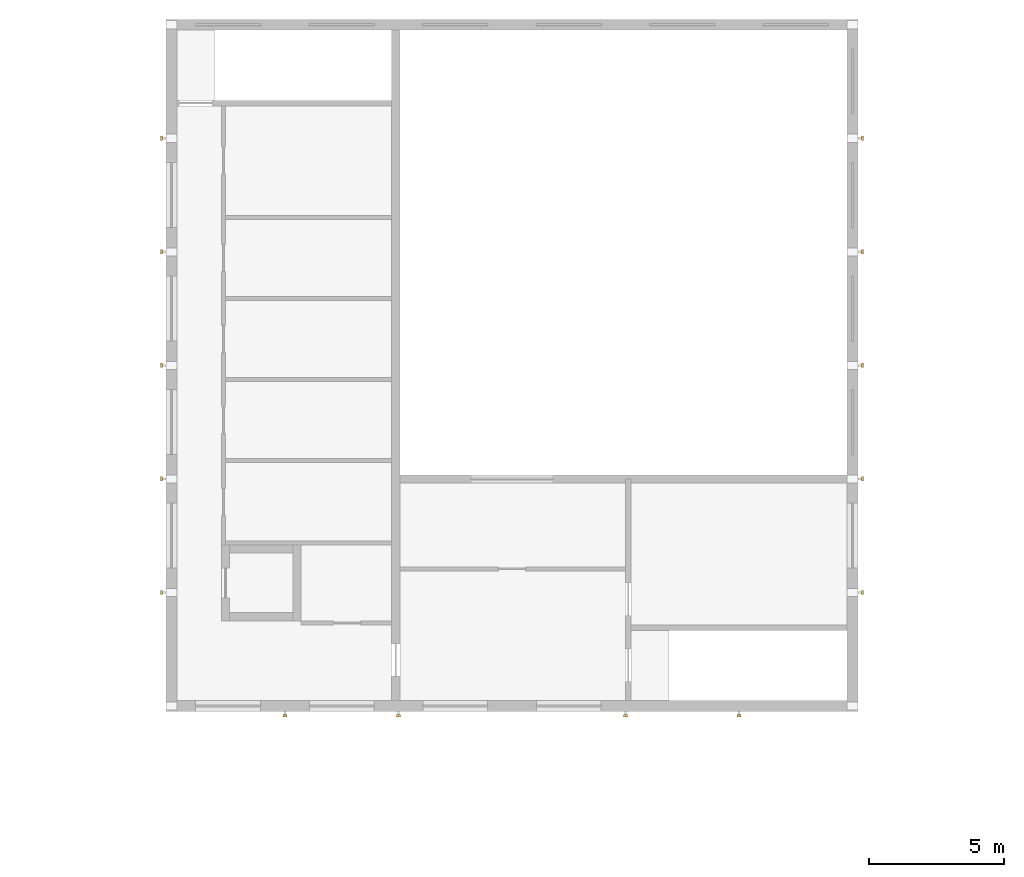
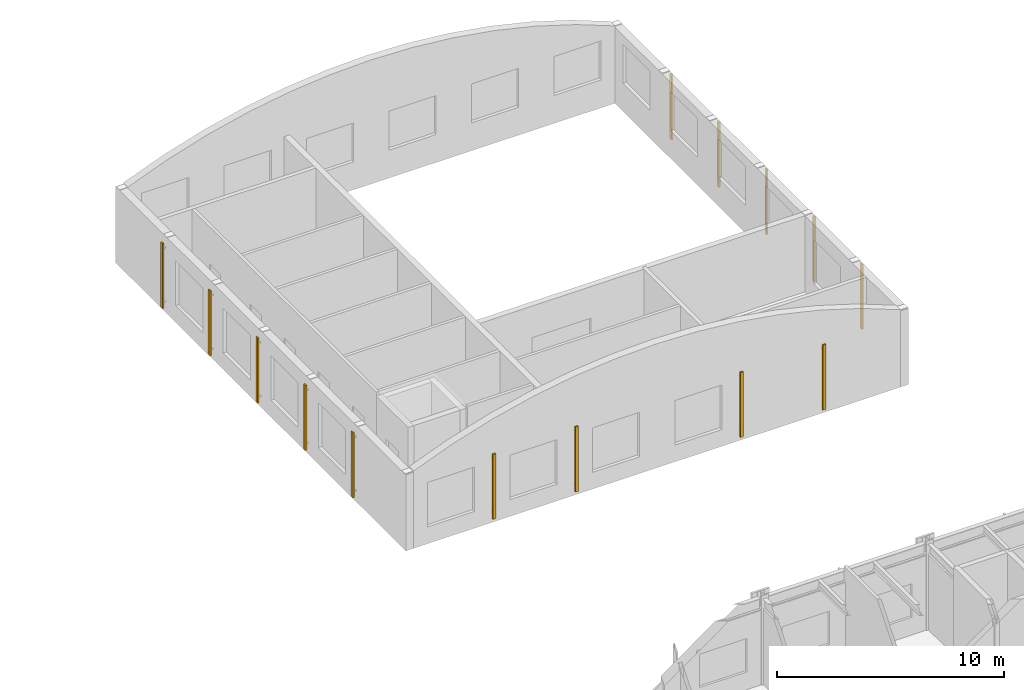
# One storey, part 127 of 127: 14 shading devices.
"""IFC4 building model written with IfcOpenShell, lengths in metres."""

from ifc_helpers import new_model, si_unit, direction, frame, origin, origin_2d, place, context, subcontext, project, spatial, rectangle, extrude, material, type_object, element, save


model = new_model("IFC4")

# Units and contexts
model_context = context("Model", 3, precision=1e-05, world=origin(), true_north=direction((0.0, 1.0)))
body_context = subcontext(model_context, "Body", "Model", "MODEL_VIEW")
ifc_project = project(units=[si_unit("LENGTHUNIT", "METRE"), si_unit("AREAUNIT", "SQUARE_METRE"), si_unit("VOLUMEUNIT", "CUBIC_METRE"), si_unit("PLANEANGLEUNIT", "RADIAN"), si_unit("MASSUNIT", "GRAM", prefix="KILO")], contexts=[model_context])

# Site, building, storey
site_placement = place(None, origin())
site = spatial("IfcSite", under=ifc_project, at=site_placement, CompositionType="ELEMENT")
building_placement = place(site_placement, origin())
building = spatial("IfcBuilding", under=site, at=building_placement, Name="Ljudholm Concert House", CompositionType="ELEMENT")
storey_placement = place(building_placement, frame((0.0, 0.0, 5.39990234375)))
storey = spatial("IfcBuildingStorey", under=building, at=storey_placement, Name="L01", CompositionType="ELEMENT", Elevation=5.39990234375)

# Shading devices
ifc_material = material(Name="Aluminium extrusion with timber-grain PVDF finish", Category="aluminium")
shading_device_type = type_object("IfcShadingDeviceType", Name="FACADE FIN 80x160", PredefinedType="SHUTTER", material=ifc_material)
for number, where, z_axis, x_axis, name in (
    (1, (67.0, 146.43994140625, 0.300048828125), (0.0, 0.0, 1.0), (0.0, -1.0, 0.0), "Facade fin"),
    (2, (71.199951171875, 146.43994140625, 0.300048828125), (0.0, 0.0, 1.0), (0.0, -1.0, 0.0), "Facade fin"),
    (3, (79.60009765625, 146.43994140625, 0.300048828125), (0.0, 0.0, 1.0), (0.0, -1.0, 0.0), "Facade fin"),
    (4, (83.800048828125, 146.43994140625, 0.300048828125), (0.0, 0.0, 1.0), (0.0, -1.0, 0.0), "Facade fin"),
    (5, (62.43994140625, 151.0, 0.300048828125), (0.0, 0.0, 1.0), (-1.0, 0.0, 0.0), "Facade fin"),
    (6, (88.360107421875, 151.0, 0.300048828125), (0.0, 0.0, 1.0), (1.0, 0.0, 0.0), "Facade fin"),
    (7, (62.43994140625, 155.199951171875, 0.300048828125), (0.0, 0.0, 1.0), (-1.0, 0.0, 0.0), "Facade fin"),
    (8, (88.360107421875, 155.199951171875, 0.300048828125), (0.0, 0.0, 1.0), (1.0, 0.0, 0.0), "Facade fin"),
    (9, (62.43994140625, 159.39990234375, 0.300048828125), (0.0, 0.0, 1.0), (-1.0, 0.0, 0.0), "Facade fin"),
    (10, (88.360107421875, 159.39990234375, 0.300048828125), (0.0, 0.0, 1.0), (1.0, 0.0, 0.0), "Facade fin"),
    (11, (62.43994140625, 163.60009765625, 0.300048828125), (0.0, 0.0, 1.0), (-1.0, 0.0, 0.0), "Facade fin"),
    (12, (88.360107421875, 163.60009765625, 0.300048828125), (0.0, 0.0, 1.0), (1.0, 0.0, 0.0), "Facade fin"),
    (13, (62.43994140625, 167.800048828125, 0.300048828125), (0.0, 0.0, 1.0), (-1.0, 0.0, 0.0), "Facade fin"),
    (14, (88.360107421875, 167.800048828125, 0.300048828125), (0.0, 0.0, 1.0), (1.0, 0.0, 0.0), "Facade fin"),
):
    element("IfcShadingDevice", number, at=place(storey_placement, frame(where, z_axis=z_axis, x_axis=x_axis)), inside=storey, type_object=shading_device_type, Name=name, PredefinedType="SHUTTER", context=body_context, shape_type="SweptSolid", body=[
        extrude(rectangle(XDim=0.080078125, YDim=0.159912109375, at=origin_2d()), origin(), (0.0, 0.0, 1.0), 3.5),
    ])

save(model, "model.ifc")
